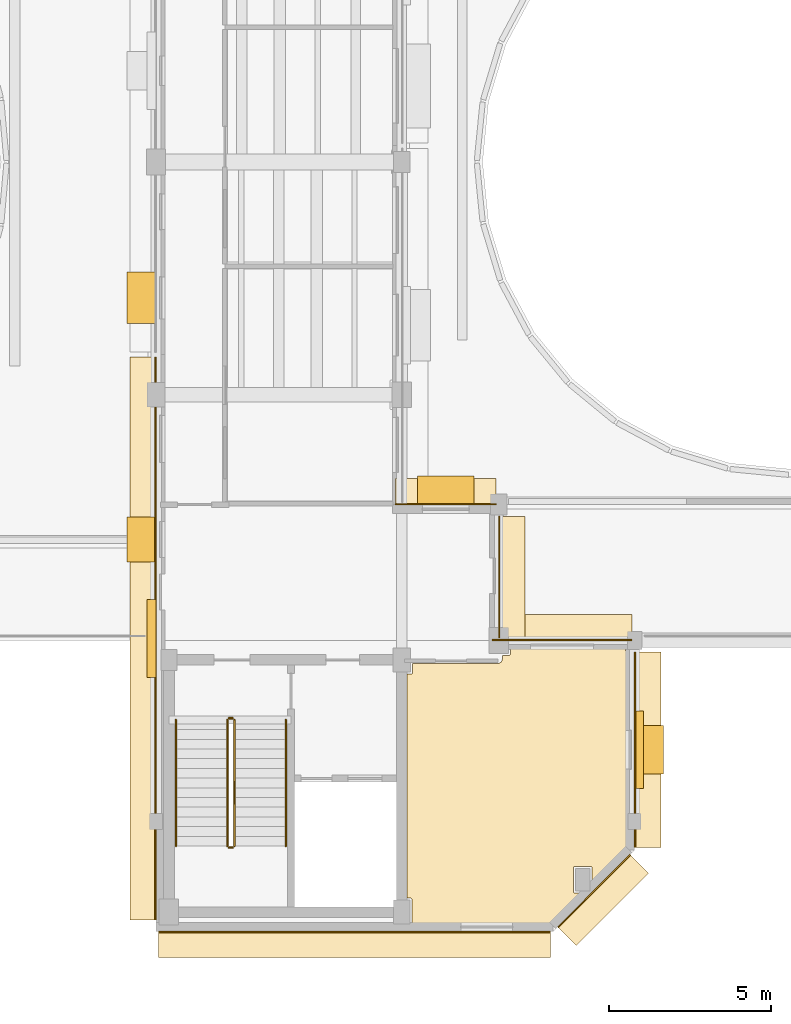
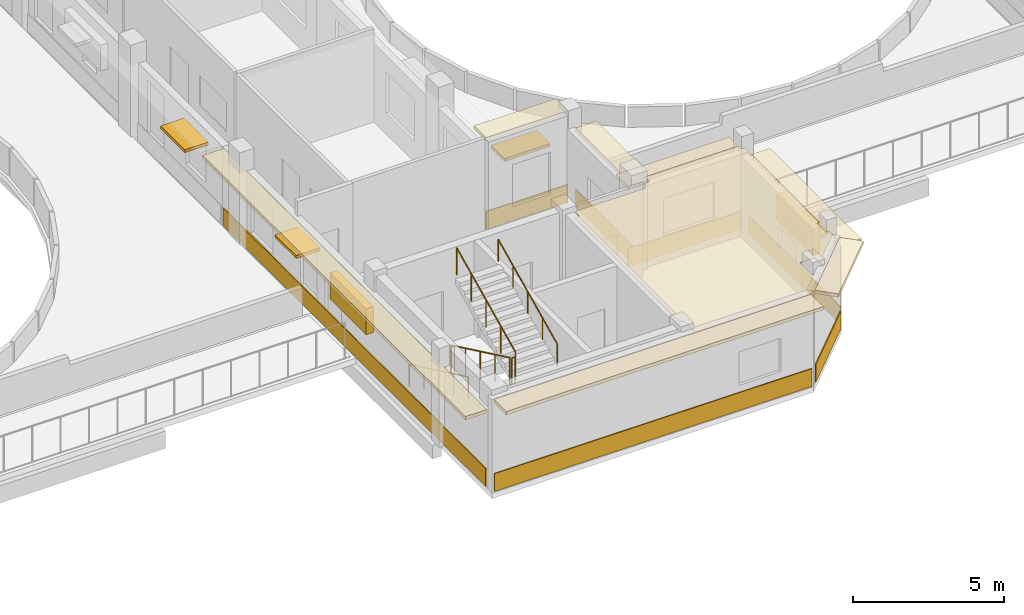
# One storey, part 71 of 78: 15 coverings, 6 railings, 6 shading devices.
"""IFC4 building model written with IfcOpenShell, lengths in metres."""

from ifc_helpers import new_model, si_unit, direction, frame, origin, origin_2d, place, context, subcontext, project, spatial, polyline, rectangle, circle, outline, extrude, material, layer, layer_set, type_object, element, save


model = new_model("IFC4")

# Units and contexts
model_context = context("Model", 3, precision=1e-05, world=origin(), true_north=direction((0.0, 1.0)))
body_context = subcontext(model_context, "Body", "Model", "MODEL_VIEW")
ifc_project = project(units=[si_unit("LENGTHUNIT", "METRE"), si_unit("AREAUNIT", "SQUARE_METRE"), si_unit("VOLUMEUNIT", "CUBIC_METRE"), si_unit("PLANEANGLEUNIT", "RADIAN"), si_unit("MASSUNIT", "GRAM", prefix="KILO")], contexts=[model_context])

# Site, building, storey
site_placement = place(None, origin())
site = spatial("IfcSite", under=ifc_project, at=site_placement, CompositionType="ELEMENT")
building_placement = place(site_placement, origin())
building = spatial("IfcBuilding", under=site, at=building_placement, Name="Kelanivale Promenade Academy", CompositionType="ELEMENT")
storey_placement = place(building_placement, frame((0.0, 0.0, 16.199951171875)))
storey = spatial("IfcBuildingStorey", under=building, at=storey_placement, Name="L04", CompositionType="ELEMENT", Elevation=16.199951171875)

# Coverings
ifc_material_1 = material(Name="Warm ivory Art Deco stucco frieze band 40 mm", Category="masonry")
ifc_layer_1 = layer(ifc_material_1, 0.0400390625)
ifc_layer_set_1 = layer_set([ifc_layer_1], Name="Warm ivory Art Deco stucco frieze band 40 mm")
covering_type_1 = type_object("IfcCoveringType", Name="COV-CLD2 Warm ivory Art Deco stucco frieze ba", PredefinedType="CLADDING", material=ifc_layer_set_1)
covering_1_placement = place(storey_placement, frame((91.760009765625, 42.39990234375, 3.14501953125), z_axis=(0.0, 0.0, 1.0), x_axis=(-1.0, 0.0, 0.0)))
element("IfcCovering", 1, at=covering_1_placement, inside=storey, type_object=covering_type_1, Name="Art Deco projecting 820 mm streamline sunshade eyebrow ledge", PredefinedType="CLADDING", context=body_context, shape_type="SweptSolid", body=[
    extrude(rectangle(XDim=4.320068359375, YDim=0.820068359375, at=origin_2d()), origin(), (0.0, 0.0, 1.0), 0.139892578125),
])
covering_2_placement = place(storey_placement, frame((91.760009765625, 42.014892578125, 0.06005859375), z_axis=(0.0, 0.0, 1.0), x_axis=(-1.0, 0.0, 0.0)))
element("IfcCovering", 2, at=covering_2_placement, inside=storey, type_object=covering_type_1, Name="Art Deco ivory stucco sill frieze band", PredefinedType="CLADDING", context=body_context, shape_type="SweptSolid", body=[
    extrude(rectangle(XDim=4.320068359375, YDim=0.0400390625, at=origin_2d()), origin(), (0.0, 0.0, 1.0), 0.719970703125),
])
covering_3_placement = place(storey_placement, frame((90.199951171875, 43.9599609375, 3.115234375), z_axis=(0.0, 0.0, 1.0), x_axis=(0.0, 1.0, 0.0)))
element("IfcCovering", 3, at=covering_3_placement, inside=storey, type_object=covering_type_1, Name="Art Deco projecting 820 mm streamline sunshade eyebrow ledge", PredefinedType="CLADDING", context=body_context, shape_type="SweptSolid", body=[
    extrude(rectangle(XDim=3.760009765625, YDim=0.820068359375, at=origin_2d()), origin(), (0.0, 0.0, 1.0), 0.139892578125),
])
covering_4_placement = place(storey_placement, frame((89.81494140625, 43.9599609375, 0.06005859375), z_axis=(0.0, 0.0, 1.0), x_axis=(0.0, 1.0, 0.0)))
element("IfcCovering", 4, at=covering_4_placement, inside=storey, type_object=covering_type_1, Name="Art Deco ivory stucco sill frieze band", PredefinedType="CLADDING", context=body_context, shape_type="SweptSolid", body=[
    extrude(rectangle(XDim=3.760009765625, YDim=0.0400390625, at=origin_2d()), origin(), (0.0, 0.0, 1.0), 0.719970703125),
])
covering_5_placement = place(storey_placement, frame((88.159912109375, 46.60009765625, 3.6201171875), z_axis=(0.0, 0.0, 1.0), x_axis=(-1.0, 0.0, 0.0)))
element("IfcCovering", 5, at=covering_5_placement, inside=storey, type_object=covering_type_1, Name="Art Deco projecting 820 mm streamline sunshade eyebrow ledge", PredefinedType="CLADDING", context=body_context, shape_type="SweptSolid", body=[
    extrude(rectangle(XDim=3.1201171875, YDim=0.820068359375, at=origin_2d()), origin(), (0.0, 0.0, 1.0), 0.139892578125),
])
covering_6_placement = place(storey_placement, frame((88.159912109375, 46.215087890625, 0.06005859375), z_axis=(0.0, 0.0, 1.0), x_axis=(-1.0, 0.0, 0.0)))
element("IfcCovering", 6, at=covering_6_placement, inside=storey, type_object=covering_type_1, Name="Art Deco ivory stucco sill frieze band", PredefinedType="CLADDING", context=body_context, shape_type="SweptSolid", body=[
    extrude(rectangle(XDim=3.1201171875, YDim=0.0400390625, at=origin_2d()), origin(), (0.0, 0.0, 1.0), 0.719970703125),
])
covering_7_placement = place(storey_placement, frame((78.800048828125, 42.06005859375, 3.01513671875), z_axis=(0.0, 0.0, 1.0), x_axis=(0.0, -1.0, 0.0)))
element("IfcCovering", 7, at=covering_7_placement, inside=storey, type_object=covering_type_1, Name="Art Deco projecting 820 mm streamline sunshade eyebrow ledge", PredefinedType="CLADDING", context=body_context, shape_type="SweptSolid", body=[
    extrude(rectangle(XDim=17.39990234375, YDim=0.820068359375, at=origin_2d()), origin(), (0.0, 0.0, 1.0), 0.139892578125),
])
covering_8_placement = place(storey_placement, frame((79.18505859375, 42.06005859375, 0.06005859375), z_axis=(0.0, 0.0, 1.0), x_axis=(0.0, -1.0, 0.0)))
element("IfcCovering", 8, at=covering_8_placement, inside=storey, type_object=covering_type_1, Name="Art Deco ivory stucco sill frieze band", PredefinedType="CLADDING", context=body_context, shape_type="SweptSolid", body=[
    extrude(rectangle(XDim=17.39990234375, YDim=0.0400390625, at=origin_2d()), origin(), (0.0, 0.0, 1.0), 0.719970703125),
])
covering_9_placement = place(storey_placement, frame((85.339111328125, 32.60009765625, 3.6201171875), z_axis=(0.0, 0.0, 1.0), x_axis=(1.0, 0.0, 0.0)))
element("IfcCovering", 9, at=covering_9_placement, inside=storey, type_object=covering_type_1, Name="Art Deco projecting 820 mm streamline sunshade eyebrow ledge", PredefinedType="CLADDING", context=body_context, shape_type="SweptSolid", body=[
    extrude(rectangle(XDim=12.117919921875, YDim=0.820068359375, at=origin_2d()), origin(), (0.0, 0.0, 1.0), 0.139892578125),
])
covering_10_placement = place(storey_placement, frame((85.339111328125, 32.985107421875, 0.06005859375), z_axis=(0.0, 0.0, 1.0), x_axis=(1.0, 0.0, 0.0)))
element("IfcCovering", 10, at=covering_10_placement, inside=storey, type_object=covering_type_1, Name="Art Deco ivory stucco sill frieze band", PredefinedType="CLADDING", context=body_context, shape_type="SweptSolid", body=[
    extrude(rectangle(XDim=12.117919921875, YDim=0.0400390625, at=origin_2d()), origin(), (0.0, 0.0, 1.0), 0.719970703125),
])
covering_11_placement = place(storey_placement, frame((93.02294921875, 33.97705078125, 3.6201171875), z_axis=(0.0, 0.0, 1.0), x_axis=(0.707106781187, 0.707106781187, 0.0)))
element("IfcCovering", 11, at=covering_11_placement, inside=storey, type_object=covering_type_1, Name="Art Deco projecting 820 mm streamline sunshade eyebrow ledge", PredefinedType="CLADDING", context=body_context, shape_type="SweptSolid", body=[
    extrude(rectangle(XDim=3.1630859375, YDim=0.820068359375, at=origin_2d()), origin(), (0.0, 0.0, 1.0), 0.139892578125),
])
covering_12_placement = place(storey_placement, frame((92.7509765625, 34.2490234375, 0.06005859375), z_axis=(0.0, 0.0, 1.0), x_axis=(0.707106781187, 0.707106781187, 0.0)))
element("IfcCovering", 12, at=covering_12_placement, inside=storey, type_object=covering_type_1, Name="Art Deco ivory stucco sill frieze band", PredefinedType="CLADDING", context=body_context, shape_type="SweptSolid", body=[
    extrude(rectangle(XDim=3.1630859375, YDim=0.0400390625, at=origin_2d()), origin(), (0.0, 0.0, 1.0), 0.719970703125),
])
covering_13_placement = place(storey_placement, frame((94.39990234375, 38.62109375, 3.09521484375), z_axis=(0.0, 0.0, 1.0), x_axis=(0.0, 1.0, 0.0)))
element("IfcCovering", 13, at=covering_13_placement, inside=storey, type_object=covering_type_1, Name="Art Deco projecting 820 mm streamline sunshade eyebrow ledge", PredefinedType="CLADDING", context=body_context, shape_type="SweptSolid", body=[
    extrude(rectangle(XDim=6.0380859375, YDim=0.820068359375, at=origin_2d()), origin(), (0.0, 0.0, 1.0), 0.139892578125),
])
covering_14_placement = place(storey_placement, frame((94.014892578125, 38.62109375, 0.06005859375), z_axis=(0.0, 0.0, 1.0), x_axis=(0.0, 1.0, 0.0)))
element("IfcCovering", 14, at=covering_14_placement, inside=storey, type_object=covering_type_1, Name="Art Deco ivory stucco sill frieze band", PredefinedType="CLADDING", context=body_context, shape_type="SweptSolid", body=[
    extrude(rectangle(XDim=6.0380859375, YDim=0.0400390625, at=origin_2d()), origin(), (0.0, 0.0, 1.0), 0.719970703125),
])
ifc_material_2 = material(Name="Acoustic mineral-fibre ceiling tile 25 mm", Category="gypsum")
ifc_layer_2 = layer(ifc_material_2, 0.02490234375)
ifc_layer_set_2 = layer_set([ifc_layer_2], Name="Acoustic mineral-fibre ceiling tile 25 mm")
covering_type_2 = type_object("IfcCoveringType", Name="COV-CLG1 Acoustic mineral-fibre ceiling tile ", PredefinedType="CEILING", material=ifc_layer_set_2)
covering_15_placement = place(storey_placement, frame((0.0, 0.0, 3.550048828125)))
element("IfcCovering", 15, at=covering_15_placement, inside=storey, type_object=covering_type_2, Name="Departmental Staff Office acoustic suspended ceiling", PredefinedType="CEILING", context=body_context, shape_type="SweptSolid", body=[
    extrude(outline(polyline([(86.9599609375, 34.034912109375), (87.070068359375, 34.034912109375), (87.073974609375, 34.034912109375), (87.077880859375, 34.033935546875), (87.08203125, 34.032958984375), (87.0849609375, 34.031982421875), (87.089111328125, 34.030029296875), (87.092041015625, 34.028076171875), (87.094970703125, 34.02587890625), (87.097900390625, 34.02294921875), (87.10107421875, 34.02001953125), (87.10302734375, 34.01708984375), (87.10498046875, 34.013916015625), (87.10693359375, 34.010009765625), (87.10791015625, 34.007080078125), (87.10888671875, 34.0029296875), (87.110107421875, 33.9990234375), (87.110107421875, 33.9951171875), (87.110107421875, 33.205078125), (87.110107421875, 33.200927734375), (87.10888671875, 33.197021484375), (87.10791015625, 33.193115234375), (87.10693359375, 33.18994140625), (87.10498046875, 33.18603515625), (87.10302734375, 33.18310546875), (87.10107421875, 33.179931640625), (87.097900390625, 33.177001953125), (87.094970703125, 33.174072265625), (87.092041015625, 33.172119140625), (87.089111328125, 33.169921875), (87.0849609375, 33.16796875), (87.08203125, 33.1669921875), (87.077880859375, 33.166015625), (87.073974609375, 33.1650390625), (87.070068359375, 33.1650390625), (86.909912109375, 33.1650390625), (86.909912109375, 33.14990234375), (91.41796875, 33.14990234375), (92.4580078125, 34.18994140625), (92.155029296875, 34.18994140625), (92.15087890625, 34.18994140625), (92.14697265625, 34.19091796875), (92.14306640625, 34.19189453125), (92.139892578125, 34.193115234375), (92.135986328125, 34.195068359375), (92.133056640625, 34.197021484375), (92.1298828125, 34.198974609375), (92.126953125, 34.201904296875), (92.1240234375, 34.205078125), (92.1220703125, 34.2080078125), (92.1201171875, 34.2109375), (92.117919921875, 34.215087890625), (92.116943359375, 34.218017578125), (92.115966796875, 34.221923828125), (92.114990234375, 34.22607421875), (92.114990234375, 34.22998046875), (92.114990234375, 34.969970703125), (92.114990234375, 34.97412109375), (92.115966796875, 34.97802734375), (92.116943359375, 34.98193359375), (92.117919921875, 34.985107421875), (92.1201171875, 34.989013671875), (92.1220703125, 34.991943359375), (92.1240234375, 34.9951171875), (92.126953125, 34.998046875), (92.1298828125, 35.0009765625), (92.133056640625, 35.0029296875), (92.135986328125, 35.0048828125), (92.139892578125, 35.007080078125), (92.14306640625, 35.008056640625), (92.14697265625, 35.009033203125), (92.15087890625, 35.010009765625), (92.155029296875, 35.010009765625), (92.64501953125, 35.010009765625), (92.64892578125, 35.010009765625), (92.653076171875, 35.009033203125), (92.656982421875, 35.008056640625), (92.659912109375, 35.007080078125), (92.6640625, 35.0048828125), (92.6669921875, 35.0029296875), (92.669921875, 35.0009765625), (92.673095703125, 34.998046875), (92.676025390625, 34.9951171875), (92.677978515625, 34.991943359375), (92.679931640625, 34.989013671875), (92.681884765625, 34.985107421875), (92.68310546875, 34.98193359375), (92.68408203125, 34.97802734375), (92.68505859375, 34.97412109375), (92.68505859375, 34.969970703125), (92.68505859375, 34.4169921875), (93.85009765625, 35.58203125), (93.85009765625, 36.090087890625), (93.780029296875, 36.090087890625), (93.77587890625, 36.090087890625), (93.77197265625, 36.091064453125), (93.76806640625, 36.092041015625), (93.764892578125, 36.093017578125), (93.760986328125, 36.094970703125), (93.758056640625, 36.096923828125), (93.7548828125, 36.09912109375), (93.751953125, 36.10205078125), (93.7490234375, 36.10498046875), (93.7470703125, 36.10791015625), (93.7451171875, 36.111083984375), (93.742919921875, 36.114990234375), (93.741943359375, 36.117919921875), (93.740966796875, 36.1220703125), (93.739990234375, 36.1259765625), (93.739990234375, 36.1298828125), (93.739990234375, 36.669921875), (93.739990234375, 36.674072265625), (93.740966796875, 36.677978515625), (93.741943359375, 36.681884765625), (93.742919921875, 36.68505859375), (93.7451171875, 36.68896484375), (93.7470703125, 36.69189453125), (93.7490234375, 36.695068359375), (93.751953125, 36.697998046875), (93.7548828125, 36.700927734375), (93.758056640625, 36.702880859375), (93.760986328125, 36.705078125), (93.764892578125, 36.70703125), (93.76806640625, 36.7080078125), (93.77197265625, 36.708984375), (93.77587890625, 36.7099609375), (93.780029296875, 36.7099609375), (93.85009765625, 36.7099609375), (93.85009765625, 41.6650390625), (93.7548828125, 41.6650390625), (93.7509765625, 41.6650390625), (93.7470703125, 41.666015625), (93.742919921875, 41.6669921875), (93.739990234375, 41.66796875), (93.736083984375, 41.669921875), (93.73291015625, 41.672119140625), (93.72998046875, 41.674072265625), (93.72705078125, 41.677001953125), (93.72412109375, 41.679931640625), (93.721923828125, 41.68310546875), (93.719970703125, 41.68603515625), (93.718017578125, 41.68994140625), (93.717041015625, 41.693115234375), (93.716064453125, 41.697021484375), (93.715087890625, 41.700927734375), (93.715087890625, 41.705078125), (93.715087890625, 41.85009765625), (90.159912109375, 41.85009765625), (90.159912109375, 41.580078125), (90.159912109375, 41.575927734375), (90.158935546875, 41.572021484375), (90.157958984375, 41.568115234375), (90.156982421875, 41.56494140625), (90.155029296875, 41.56103515625), (90.153076171875, 41.55810546875), (90.15087890625, 41.554931640625), (90.14794921875, 41.552001953125), (90.14501953125, 41.549072265625), (90.14208984375, 41.547119140625), (90.138916015625, 41.544921875), (90.135009765625, 41.54296875), (90.132080078125, 41.5419921875), (90.1279296875, 41.541015625), (90.1240234375, 41.5400390625), (90.1201171875, 41.5400390625), (89.909912109375, 41.5400390625), (89.909912109375, 41.424072265625), (89.909912109375, 41.4169921875), (89.908935546875, 41.410888671875), (89.907958984375, 41.405029296875), (89.906005859375, 41.39599609375), (89.903076171875, 41.387939453125), (89.902099609375, 41.385009765625), (89.90087890625, 41.382080078125), (89.89892578125, 41.376953125), (89.89697265625, 41.3720703125), (89.89501953125, 41.365966796875), (89.89208984375, 41.361083984375), (89.888916015625, 41.35595703125), (89.882080078125, 41.346923828125), (89.8779296875, 41.342041015625), (89.873046875, 41.3349609375), (89.868896484375, 41.3310546875), (89.864990234375, 41.326904296875), (89.85791015625, 41.322021484375), (89.85302734375, 41.318115234375), (89.843994140625, 41.31103515625), (89.839111328125, 41.30810546875), (89.833984375, 41.304931640625), (89.827880859375, 41.302978515625), (89.822998046875, 41.301025390625), (89.818115234375, 41.299072265625), (89.81494140625, 41.298095703125), (89.81201171875, 41.297119140625), (89.803955078125, 41.2939453125), (89.794921875, 41.2919921875), (89.7890625, 41.291015625), (89.782958984375, 41.2900390625), (89.77587890625, 41.2900390625), (87.135009765625, 41.2900390625), (87.135009765625, 41.0048828125), (87.135009765625, 41.0009765625), (87.134033203125, 40.9970703125), (87.133056640625, 40.992919921875), (87.132080078125, 40.989990234375), (87.1298828125, 40.986083984375), (87.1279296875, 40.98291015625), (87.1259765625, 40.97998046875), (87.123046875, 40.97705078125), (87.1201171875, 40.97412109375), (87.116943359375, 40.971923828125), (87.114013671875, 40.969970703125), (87.110107421875, 40.968017578125), (87.10693359375, 40.967041015625), (87.10302734375, 40.966064453125), (87.09912109375, 40.965087890625), (87.094970703125, 40.965087890625), (86.9599609375, 40.965087890625), (86.9599609375, 34.034912109375)])), origin(), (0.0, 0.0, 1.0), 0.02490234375),
])

# Railings
ifc_material_3 = material(Name="Brushed stainless steel grade 316", Category="steel")
railing_type_1 = type_object("IfcRailingType", Name="GR-01 Stair Guard 1100mm", PredefinedType="BALUSTRADE", material=ifc_material_3)
railing_1_placement = place(storey_placement, frame((81.405029296875, 39.544921875, 0.142822265625)))
element("IfcRailing", 16, at=railing_1_placement, inside=storey, type_object=railing_type_1, Name="L04 ST-01 stair guard 1", PredefinedType="BALUSTRADE", context=body_context, shape_type="SweptSolid", body=[
    extrude(circle(Radius=0.02392578125, at=origin_2d()), frame((0.0, 0.0, 1.09619140625), z_axis=(0.0, -0.902853205547, 0.429948937937), x_axis=(1.0, 0.0, 0.0)), (0.0, 0.0, 1.0), 4.319580078125),
    extrude(circle(Radius=0.02099609375, at=origin_2d()), origin(), (0.0, 0.0, 1.0), 1.072021484375),
    extrude(circle(Radius=0.02099609375, at=origin_2d()), frame((0.0, -0.97509765625, 0.46435546875)), (0.0, 0.0, 1.0), 1.072021484375),
    extrude(circle(Radius=0.02099609375, at=origin_2d()), frame((0.0, -1.949951171875, 0.9287109375)), (0.0, 0.0, 1.0), 1.072021484375),
    extrude(circle(Radius=0.02099609375, at=origin_2d()), frame((0.0, -2.9248046875, 1.392822265625)), (0.0, 0.0, 1.0), 1.072021484375),
    extrude(circle(Radius=0.02099609375, at=origin_2d()), frame((0.0, -3.89990234375, 1.857177734375)), (0.0, 0.0, 1.0), 1.072021484375),
])
railing_2_placement = place(storey_placement, frame((81.455078125, 35.594970703125, 2.0)))
element("IfcRailing", 17, at=railing_2_placement, inside=storey, type_object=railing_type_1, Name="L04 ST-01 stair guard 2", PredefinedType="BALUSTRADE", context=body_context, shape_type="SweptSolid", body=[
    extrude(circle(Radius=0.02392578125, at=origin_2d()), frame((0.0, 0.0, 1.09619140625), z_axis=(1.0, 0.0, 0.0), x_axis=(0.0, 1.0, 0.0)), (0.0, 0.0, 1.0), 0.119873046875),
    extrude(circle(Radius=0.02099609375, at=origin_2d()), origin(), (0.0, 0.0, 1.0), 1.072021484375),
    extrude(circle(Radius=0.02099609375, at=origin_2d()), frame((0.119873046875, 0.0, 0.0)), (0.0, 0.0, 1.0), 1.072021484375),
])
railing_3_placement = place(storey_placement, frame((81.625, 35.64501953125, 2.142822265625)))
element("IfcRailing", 18, at=railing_3_placement, inside=storey, type_object=railing_type_1, Name="L04 ST-01 stair guard 3", PredefinedType="BALUSTRADE", context=body_context, shape_type="SweptSolid", body=[
    extrude(circle(Radius=0.02392578125, at=origin_2d()), frame((0.0, 0.0, 1.09619140625), z_axis=(0.0, 0.902853205547, 0.429948937937), x_axis=(-1.0, 0.0, 0.0)), (0.0, 0.0, 1.0), 4.319580078125),
    extrude(circle(Radius=0.02099609375, at=origin_2d()), origin(), (0.0, 0.0, 1.0), 1.072021484375),
    extrude(circle(Radius=0.02099609375, at=origin_2d()), frame((0.0, 0.97509765625, 0.46435546875)), (0.0, 0.0, 1.0), 1.072021484375),
    extrude(circle(Radius=0.02099609375, at=origin_2d()), frame((0.0, 1.949951171875, 0.9287109375)), (0.0, 0.0, 1.0), 1.072021484375),
    extrude(circle(Radius=0.02099609375, at=origin_2d()), frame((0.0, 2.9248046875, 1.392822265625)), (0.0, 0.0, 1.0), 1.072021484375),
    extrude(circle(Radius=0.02099609375, at=origin_2d()), frame((0.0, 3.89990234375, 1.857177734375)), (0.0, 0.0, 1.0), 1.072021484375),
])
railing_4_placement = place(storey_placement, frame((81.455078125, 39.594970703125, 0.0)))
element("IfcRailing", 19, at=railing_4_placement, inside=storey, type_object=railing_type_1, Name="L04 ST-01 stair guard 4", PredefinedType="BALUSTRADE", context=body_context, shape_type="SweptSolid", body=[
    extrude(circle(Radius=0.02392578125, at=origin_2d()), frame((0.0, 0.0, 1.09619140625), z_axis=(1.0, 0.0, 0.0), x_axis=(0.0, 1.0, 0.0)), (0.0, 0.0, 1.0), 0.119873046875),
    extrude(circle(Radius=0.02099609375, at=origin_2d()), origin(), (0.0, 0.0, 1.0), 1.072021484375),
    extrude(circle(Radius=0.02099609375, at=origin_2d()), frame((0.119873046875, 0.0, 0.0)), (0.0, 0.0, 1.0), 1.072021484375),
])
railing_type_2 = type_object("IfcRailingType", Name="HR-01 Pitch Handrail 900mm", PredefinedType="HANDRAIL", material=ifc_material_3)
railing_5_placement = place(storey_placement, frame((79.81494140625, 39.544921875, 0.142822265625)))
element("IfcRailing", 20, at=railing_5_placement, inside=storey, type_object=railing_type_2, Name="L04 ST-01 stair handrail 1", PredefinedType="HANDRAIL", context=body_context, shape_type="SweptSolid", body=[
    extrude(circle(Radius=0.02392578125, at=origin_2d()), frame((0.0, 0.0, 0.8759765625), z_axis=(0.0, -0.902853205547, 0.429948937937), x_axis=(1.0, 0.0, 0.0)), (0.0, 0.0, 1.0), 4.319580078125),
    extrude(circle(Radius=0.02099609375, at=origin_2d()), origin(), (0.0, 0.0, 1.0), 0.851806640625),
    extrude(circle(Radius=0.02099609375, at=origin_2d()), frame((0.0, -0.97509765625, 0.46435546875)), (0.0, 0.0, 1.0), 0.851806640625),
    extrude(circle(Radius=0.02099609375, at=origin_2d()), frame((0.0, -1.949951171875, 0.9287109375)), (0.0, 0.0, 1.0), 0.851806640625),
    extrude(circle(Radius=0.02099609375, at=origin_2d()), frame((0.0, -2.9248046875, 1.392822265625)), (0.0, 0.0, 1.0), 0.851806640625),
    extrude(circle(Radius=0.02099609375, at=origin_2d()), frame((0.0, -3.89990234375, 1.857177734375)), (0.0, 0.0, 1.0), 0.851806640625),
])
railing_6_placement = place(storey_placement, frame((83.215087890625, 35.64501953125, 2.142822265625)))
element("IfcRailing", 21, at=railing_6_placement, inside=storey, type_object=railing_type_2, Name="L04 ST-01 stair handrail 2", PredefinedType="HANDRAIL", context=body_context, shape_type="SweptSolid", body=[
    extrude(circle(Radius=0.02392578125, at=origin_2d()), frame((0.0, 0.0, 0.8759765625), z_axis=(0.0, 0.902853205547, 0.429948937937), x_axis=(-1.0, 0.0, 0.0)), (0.0, 0.0, 1.0), 4.319580078125),
    extrude(circle(Radius=0.02099609375, at=origin_2d()), origin(), (0.0, 0.0, 1.0), 0.851806640625),
    extrude(circle(Radius=0.02099609375, at=origin_2d()), frame((0.0, 0.97509765625, 0.46435546875)), (0.0, 0.0, 1.0), 0.851806640625),
    extrude(circle(Radius=0.02099609375, at=origin_2d()), frame((0.0, 1.949951171875, 0.9287109375)), (0.0, 0.0, 1.0), 0.851806640625),
    extrude(circle(Radius=0.02099609375, at=origin_2d()), frame((0.0, 2.9248046875, 1.392822265625)), (0.0, 0.0, 1.0), 0.851806640625),
    extrude(circle(Radius=0.02099609375, at=origin_2d()), frame((0.0, 3.89990234375, 1.857177734375)), (0.0, 0.0, 1.0), 0.851806640625),
])

# Shading devices
ifc_material_4 = material(Name="Precast concrete C40/50", Category="concrete")
ifc_layer_3 = layer(ifc_material_4, 0.1201171875)
ifc_layer_set_3 = layer_set([ifc_layer_3], Name="Precast concrete C40/50")
shading_device_type_1 = type_object("IfcShadingDeviceType", Name="SHD-01 Art Deco Sunshade Eyebrow 900mm", PredefinedType="USERDEFINED", material=ifc_layer_set_3)
shading_device_1_placement = place(storey_placement, frame((88.159912109375, 46.639892578125, 2.56005859375), z_axis=(0.0, 0.0, 1.0), x_axis=(-1.0, 0.0, 0.0)))
element("IfcShadingDevice", 22, at=shading_device_1_placement, inside=storey, type_object=shading_device_type_1, Name="Art Deco 900 mm precast chajja window sunshade", ObjectType="SUNSHADE", PredefinedType="USERDEFINED", context=body_context, shape_type="SweptSolid", body=[
    extrude(rectangle(XDim=1.75, YDim=0.89990234375, at=origin_2d()), origin(), (0.0, 0.0, 1.0), 0.1201171875),
])
shading_device_2_placement = place(storey_placement, frame((78.760009765625, 52.595947265625, 2.659912109375), z_axis=(0.0, 0.0, 1.0), x_axis=(0.0, -1.0, 0.0)))
element("IfcShadingDevice", 23, at=shading_device_2_placement, inside=storey, type_object=shading_device_type_1, Name="Art Deco 900 mm precast chajja window sunshade", ObjectType="SUNSHADE", PredefinedType="USERDEFINED", context=body_context, shape_type="SweptSolid", body=[
    extrude(rectangle(XDim=1.60009765625, YDim=0.89990234375, at=origin_2d()), origin(), (0.0, 0.0, 1.0), 0.1201171875),
])
shading_device_3_placement = place(storey_placement, frame((78.760009765625, 45.1220703125, 2.860107421875), z_axis=(0.0, 0.0, 1.0), x_axis=(0.0, -1.0, 0.0)))
element("IfcShadingDevice", 24, at=shading_device_3_placement, inside=storey, type_object=shading_device_type_1, Name="Art Deco 900 mm precast chajja window sunshade", ObjectType="SUNSHADE", PredefinedType="USERDEFINED", context=body_context, shape_type="SweptSolid", body=[
    extrude(rectangle(XDim=1.39990234375, YDim=0.89990234375, at=origin_2d()), origin(), (0.0, 0.0, 1.0), 0.1201171875),
])
shading_device_4_placement = place(storey_placement, frame((94.43994140625, 38.62109375, 1.9599609375), z_axis=(0.0, 0.0, 1.0), x_axis=(0.0, 1.0, 0.0)))
element("IfcShadingDevice", 25, at=shading_device_4_placement, inside=storey, type_object=shading_device_type_1, Name="Art Deco 900 mm precast chajja window sunshade", ObjectType="SUNSHADE", PredefinedType="USERDEFINED", context=body_context, shape_type="SweptSolid", body=[
    extrude(rectangle(XDim=1.5, YDim=0.89990234375, at=origin_2d()), origin(), (0.0, 0.0, 1.0), 0.1201171875),
])
ifc_material_5 = material(Name="Bronze anodised aluminium EN AW-6063 T6", Category="aluminium")
ifc_layer_4 = layer(ifc_material_5, 0.080078125)
ifc_layer_set_4 = layer_set([ifc_layer_4], Name="Bronze anodised aluminium EN AW-6063 T6")
shading_device_type_2 = type_object("IfcShadingDeviceType", Name="SHD-02 Perforated Brise-Soleil Screen", PredefinedType="JALOUSIE", material=ifc_layer_set_4)
for number, where, z_axis, x_axis, name in (
    (26, (79.06494140625, 42.06005859375, 1.72509765625), (0.0, 0.0, 1.0), (0.0, -1.0, 0.0), "Perforated Art Deco brise-soleil louvre screen"),
    (27, (94.135009765625, 38.62109375, 1.72509765625), (0.0, 0.0, 1.0), (0.0, 1.0, 0.0), "Perforated Art Deco brise-soleil louvre screen"),
):
    element("IfcShadingDevice", number, at=place(storey_placement, frame(where, z_axis=z_axis, x_axis=x_axis)), inside=storey, type_object=shading_device_type_2, Name=name, PredefinedType="JALOUSIE", context=body_context, shape_type="SweptSolid", body=[
        extrude(rectangle(XDim=2.39990234375, YDim=0.280029296875, at=origin_2d()), origin(), (0.0, 0.0, 1.0), 1.050048828125),
    ])

save(model, "model.ifc")
